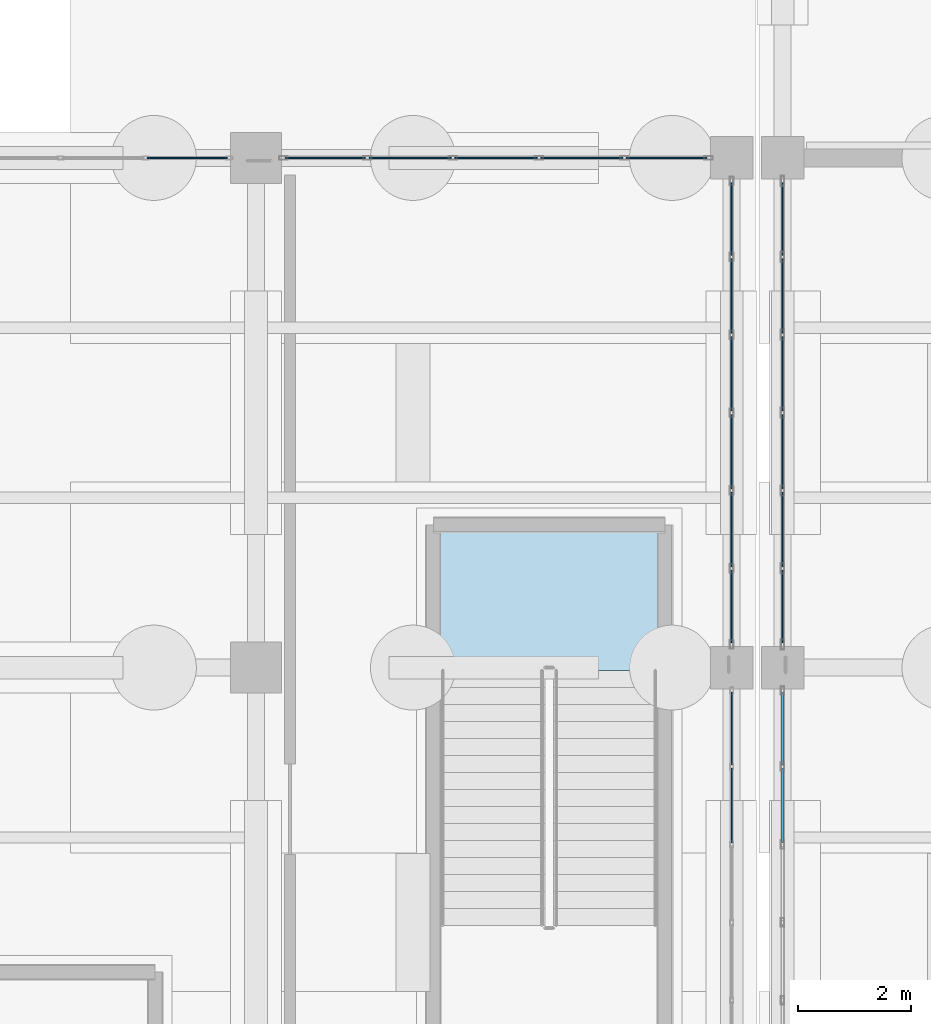
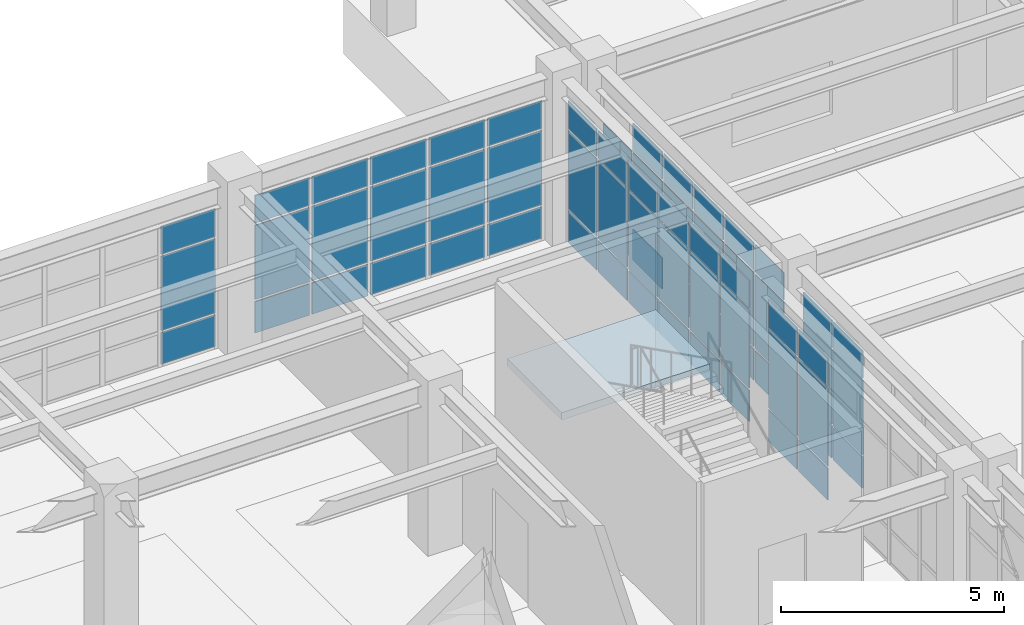
# One storey, part 104 of 139: 65 plates, 1 slab, 7 elements without a shape of their own.
"""IFC4 building model written with IfcOpenShell, lengths in metres."""

from ifc_helpers import new_model, si_unit, direction, frame, origin, origin_2d, place, context, subcontext, project, spatial, polyline, rectangle, outline, extrude, material, layer, layer_set, type_object, element, aggregate, save


model = new_model("IFC4")

# Units and contexts
model_context = context("Model", 3, precision=1e-05, world=origin(), true_north=direction((0.0, 1.0)))
body_context = subcontext(model_context, "Body", "Model", "MODEL_VIEW")
ifc_project = project(units=[si_unit("LENGTHUNIT", "METRE"), si_unit("AREAUNIT", "SQUARE_METRE"), si_unit("VOLUMEUNIT", "CUBIC_METRE"), si_unit("PLANEANGLEUNIT", "RADIAN"), si_unit("MASSUNIT", "GRAM", prefix="KILO")], contexts=[model_context])

# Site, building, storey
site_placement = place(None, origin())
site = spatial("IfcSite", under=ifc_project, at=site_placement, CompositionType="ELEMENT")
building_placement = place(site_placement, origin())
building = spatial("IfcBuilding", under=site, at=building_placement, Name="Canglan Escarpment Cableway Terminal", CompositionType="ELEMENT")
storey_placement = place(building_placement, frame((0.0, 0.0, 14.39990234375)))
storey = spatial("IfcBuildingStorey", under=building, at=storey_placement, Name="L03", CompositionType="ELEMENT", Elevation=14.39990234375)

# Curtain wall, plates
ifc_material_1 = material(Name="Anodized bronze aluminium and Low-E double glazing", Category="aluminium")
curtain_wall_type_1 = type_object("IfcCurtainWallType", Name="CW-BAY-8250x4000", PredefinedType="NOTDEFINED", material=ifc_material_1)
curtain_wall_1_placement = place(storey_placement, origin())
curtain_wall_1 = element("IfcCurtainWall", 1, at=curtain_wall_1_placement, inside=storey, type_object=curtain_wall_type_1, Name="Classical bay-between-piers glazed curtain wall CW-48", PredefinedType="NOTDEFINED")
ifc_material_2 = material(Name="Double-silver Low-E laminated insulating glass", Category="glass")
ifc_layer_1 = layer(ifc_material_2, 0.02392578125, Name="Double-silver Low-E laminated insulating glass")
ifc_layer_set_1 = layer_set([ifc_layer_1], Name="Double-silver Low-E laminated insulating glass")
plate_type_1 = type_object("IfcPlateType", Name="CWP-01", PredefinedType="CURTAIN_PANEL", material=ifc_layer_set_1)
plate_1_placement = place(storey_placement, frame((136.699951171875, 103.5625, 0.05517578125), z_axis=(0.0, 0.0, 1.0), x_axis=(0.0, 1.0, 0.0)))
plate_1 = element("IfcPlate", 2, at=plate_1_placement, type_object=plate_type_1, Name="CW-48 panel 5.1", PredefinedType="CURTAIN_PANEL", context=body_context, shape_type="SweptSolid", body=[
    extrude(rectangle(XDim=1.31494140625, YDim=0.02392578125, at=origin_2d()), origin(), (0.0, 0.0, 1.0), 0.867431640625),
])
plate_2_placement = place(storey_placement, frame((136.699951171875, 103.5625, 0.9775390625), z_axis=(0.0, 0.0, 1.0), x_axis=(0.0, 1.0, 0.0)))
plate_2 = element("IfcPlate", 3, at=plate_2_placement, type_object=plate_type_1, Name="CW-48 panel 5.2", PredefinedType="CURTAIN_PANEL", context=body_context, shape_type="SweptSolid", body=[
    extrude(rectangle(XDim=1.31494140625, YDim=0.02392578125, at=origin_2d()), origin(), (0.0, 0.0, 1.0), 2.14208984375),
])
plate_3_placement = place(storey_placement, frame((136.699951171875, 103.5625, 3.174560546875), z_axis=(0.0, 0.0, 1.0), x_axis=(0.0, 1.0, 0.0)))
plate_3 = element("IfcPlate", 4, at=plate_3_placement, type_object=plate_type_1, Name="CW-48 panel 5.3", PredefinedType="CURTAIN_PANEL", context=body_context, shape_type="SweptSolid", body=[
    extrude(rectangle(XDim=1.31494140625, YDim=0.02392578125, at=origin_2d()), origin(), (0.0, 0.0, 1.0), 0.767578125),
])
plate_4_placement = place(storey_placement, frame((136.699951171875, 104.922607421875, 0.05517578125), z_axis=(0.0, 0.0, 1.0), x_axis=(0.0, 1.0, 0.0)))
plate_4 = element("IfcPlate", 5, at=plate_4_placement, type_object=plate_type_1, Name="CW-48 panel 6.1", PredefinedType="CURTAIN_PANEL", context=body_context, shape_type="SweptSolid", body=[
    extrude(rectangle(XDim=1.284912109375, YDim=0.02392578125, at=origin_2d()), origin(), (0.0, 0.0, 1.0), 0.867431640625),
])
plate_5_placement = place(storey_placement, frame((136.699951171875, 104.922607421875, 0.9775390625), z_axis=(0.0, 0.0, 1.0), x_axis=(0.0, 1.0, 0.0)))
plate_5 = element("IfcPlate", 6, at=plate_5_placement, type_object=plate_type_1, Name="CW-48 panel 6.2", PredefinedType="CURTAIN_PANEL", context=body_context, shape_type="SweptSolid", body=[
    extrude(rectangle(XDim=1.284912109375, YDim=0.02392578125, at=origin_2d()), origin(), (0.0, 0.0, 1.0), 2.14208984375),
])
plate_6_placement = place(storey_placement, frame((136.699951171875, 104.922607421875, 3.174560546875), z_axis=(0.0, 0.0, 1.0), x_axis=(0.0, 1.0, 0.0)))
plate_6 = element("IfcPlate", 7, at=plate_6_placement, type_object=plate_type_1, Name="CW-48 panel 6.3", PredefinedType="CURTAIN_PANEL", context=body_context, shape_type="SweptSolid", body=[
    extrude(rectangle(XDim=1.284912109375, YDim=0.02392578125, at=origin_2d()), origin(), (0.0, 0.0, 1.0), 0.767578125),
])
aggregate(curtain_wall_1, [plate_1, plate_2, plate_3, plate_4, plate_5, plate_6])

curtain_wall_type_2 = type_object("IfcCurtainWallType", Name="CW-BAY-7500x3900", PredefinedType="NOTDEFINED", material=ifc_material_1)
curtain_wall_2_placement = place(storey_placement, origin())
curtain_wall_2 = element("IfcCurtainWall", 8, at=curtain_wall_2_placement, inside=storey, type_object=curtain_wall_type_2, Name="Classical bay-between-piers glazed curtain wall CW-50", PredefinedType="NOTDEFINED")
plate_7_placement = place(storey_placement, frame((127.0849609375, 115.0, 0.05517578125), z_axis=(0.0, 0.0, 1.0), x_axis=(-1.0, 0.0, 0.0)))
plate_7 = element("IfcPlate", 9, at=plate_7_placement, type_object=plate_type_1, Name="CW-50 panel 1.1", PredefinedType="CURTAIN_PANEL", context=body_context, shape_type="SweptSolid", body=[
    extrude(rectangle(XDim=1.409912109375, YDim=0.02392578125, at=origin_2d()), origin(), (0.0, 0.0, 1.0), 0.867431640625),
])
plate_8_placement = place(storey_placement, frame((127.0849609375, 115.0, 0.9775390625), z_axis=(0.0, 0.0, 1.0), x_axis=(-1.0, 0.0, 0.0)))
plate_8 = element("IfcPlate", 10, at=plate_8_placement, type_object=plate_type_1, Name="CW-50 panel 1.2", PredefinedType="CURTAIN_PANEL", context=body_context, shape_type="SweptSolid", body=[
    extrude(rectangle(XDim=1.409912109375, YDim=0.02392578125, at=origin_2d()), origin(), (0.0, 0.0, 1.0), 2.035888671875),
])
plate_9_placement = place(storey_placement, frame((127.0849609375, 115.0, 3.068603515625), z_axis=(0.0, 0.0, 1.0), x_axis=(-1.0, 0.0, 0.0)))
plate_9 = element("IfcPlate", 11, at=plate_9_placement, type_object=plate_type_1, Name="CW-50 panel 1.3", PredefinedType="CURTAIN_PANEL", context=body_context, shape_type="SweptSolid", body=[
    extrude(rectangle(XDim=1.409912109375, YDim=0.02392578125, at=origin_2d()), origin(), (0.0, 0.0, 1.0), 0.767578125),
])
aggregate(curtain_wall_2, [plate_7, plate_8, plate_9])

curtain_wall_type_3 = type_object("IfcCurtainWallType", Name="CW-BAY-8250x3900", PredefinedType="NOTDEFINED", material=ifc_material_1)
curtain_wall_3_placement = place(storey_placement, origin())
curtain_wall_3 = element("IfcCurtainWall", 12, at=curtain_wall_3_placement, inside=storey, type_object=curtain_wall_type_3, Name="Classical bay-between-piers glazed curtain wall CW-62", PredefinedType="NOTDEFINED")
plate_10_placement = place(storey_placement, frame((137.60009765625, 113.921142578125, 0.065185546875), z_axis=(0.0, 0.0, 1.0), x_axis=(0.0, -1.0, 0.0)))
plate_10 = element("IfcPlate", 13, at=plate_10_placement, type_object=plate_type_1, Name="CW-62 panel 1.1", PredefinedType="CURTAIN_PANEL", context=body_context, shape_type="SweptSolid", body=[
    extrude(rectangle(XDim=1.277587890625, YDim=0.02392578125, at=origin_2d()), origin(), (0.0, 0.0, 1.0), 0.8525390625),
])
plate_11_placement = place(storey_placement, frame((137.60009765625, 113.921142578125, 0.982666015625), z_axis=(0.0, 0.0, 1.0), x_axis=(0.0, -1.0, 0.0)))
plate_11 = element("IfcPlate", 14, at=plate_11_placement, type_object=plate_type_1, Name="CW-62 panel 1.2", PredefinedType="CURTAIN_PANEL", context=body_context, shape_type="SweptSolid", body=[
    extrude(rectangle(XDim=1.277587890625, YDim=0.02392578125, at=origin_2d()), origin(), (0.0, 0.0, 1.0), 2.02587890625),
])
plate_12_placement = place(storey_placement, frame((137.60009765625, 112.5625, 0.065185546875), z_axis=(0.0, 0.0, 1.0), x_axis=(0.0, -1.0, 0.0)))
plate_12 = element("IfcPlate", 15, at=plate_12_placement, type_object=plate_type_1, Name="CW-62 panel 2.1", PredefinedType="CURTAIN_PANEL", context=body_context, shape_type="SweptSolid", body=[
    extrude(rectangle(XDim=1.31005859375, YDim=0.02392578125, at=origin_2d()), origin(), (0.0, 0.0, 1.0), 0.8525390625),
])
plate_13_placement = place(storey_placement, frame((137.60009765625, 112.5625, 0.982666015625), z_axis=(0.0, 0.0, 1.0), x_axis=(0.0, -1.0, 0.0)))
plate_13 = element("IfcPlate", 16, at=plate_13_placement, type_object=plate_type_1, Name="CW-62 panel 2.2", PredefinedType="CURTAIN_PANEL", context=body_context, shape_type="SweptSolid", body=[
    extrude(rectangle(XDim=1.31005859375, YDim=0.02392578125, at=origin_2d()), origin(), (0.0, 0.0, 1.0), 2.02587890625),
])
plate_14_placement = place(storey_placement, frame((137.60009765625, 112.5625, 3.07373046875), z_axis=(0.0, 0.0, 1.0), x_axis=(0.0, -1.0, 0.0)))
plate_14 = element("IfcPlate", 17, at=plate_14_placement, type_object=plate_type_1, Name="CW-62 panel 2.3", PredefinedType="CURTAIN_PANEL", context=body_context, shape_type="SweptSolid", body=[
    extrude(rectangle(XDim=1.31005859375, YDim=0.02392578125, at=origin_2d()), origin(), (0.0, 0.0, 1.0), 0.75244140625),
])
plate_15_placement = place(storey_placement, frame((137.60009765625, 111.1875, 0.065185546875), z_axis=(0.0, 0.0, 1.0), x_axis=(0.0, -1.0, 0.0)))
plate_15 = element("IfcPlate", 18, at=plate_15_placement, type_object=plate_type_1, Name="CW-62 panel 3.1", PredefinedType="CURTAIN_PANEL", context=body_context, shape_type="SweptSolid", body=[
    extrude(rectangle(XDim=1.31005859375, YDim=0.02392578125, at=origin_2d()), origin(), (0.0, 0.0, 1.0), 0.8525390625),
])
plate_16_placement = place(storey_placement, frame((137.60009765625, 111.1875, 0.982666015625), z_axis=(0.0, 0.0, 1.0), x_axis=(0.0, -1.0, 0.0)))
plate_16 = element("IfcPlate", 19, at=plate_16_placement, type_object=plate_type_1, Name="CW-62 panel 3.2", PredefinedType="CURTAIN_PANEL", context=body_context, shape_type="SweptSolid", body=[
    extrude(rectangle(XDim=1.31005859375, YDim=0.02392578125, at=origin_2d()), origin(), (0.0, 0.0, 1.0), 2.02587890625),
])
plate_17_placement = place(storey_placement, frame((137.60009765625, 111.1875, 3.07373046875), z_axis=(0.0, 0.0, 1.0), x_axis=(0.0, -1.0, 0.0)))
plate_17 = element("IfcPlate", 20, at=plate_17_placement, type_object=plate_type_1, Name="CW-62 panel 3.3", PredefinedType="CURTAIN_PANEL", context=body_context, shape_type="SweptSolid", body=[
    extrude(rectangle(XDim=1.31005859375, YDim=0.02392578125, at=origin_2d()), origin(), (0.0, 0.0, 1.0), 0.75244140625),
])
plate_18_placement = place(storey_placement, frame((137.60009765625, 109.8125, 0.065185546875), z_axis=(0.0, 0.0, 1.0), x_axis=(0.0, -1.0, 0.0)))
plate_18 = element("IfcPlate", 21, at=plate_18_placement, type_object=plate_type_1, Name="CW-62 panel 4.1", PredefinedType="CURTAIN_PANEL", context=body_context, shape_type="SweptSolid", body=[
    extrude(rectangle(XDim=1.31005859375, YDim=0.02392578125, at=origin_2d()), origin(), (0.0, 0.0, 1.0), 0.8525390625),
])
plate_19_placement = place(storey_placement, frame((137.60009765625, 109.8125, 0.982666015625), z_axis=(0.0, 0.0, 1.0), x_axis=(0.0, -1.0, 0.0)))
plate_19 = element("IfcPlate", 22, at=plate_19_placement, type_object=plate_type_1, Name="CW-62 panel 4.2", PredefinedType="CURTAIN_PANEL", context=body_context, shape_type="SweptSolid", body=[
    extrude(rectangle(XDim=1.31005859375, YDim=0.02392578125, at=origin_2d()), origin(), (0.0, 0.0, 1.0), 2.02587890625),
])
plate_20_placement = place(storey_placement, frame((137.60009765625, 109.8125, 3.07373046875), z_axis=(0.0, 0.0, 1.0), x_axis=(0.0, -1.0, 0.0)))
plate_20 = element("IfcPlate", 23, at=plate_20_placement, type_object=plate_type_1, Name="CW-62 panel 4.3", PredefinedType="CURTAIN_PANEL", context=body_context, shape_type="SweptSolid", body=[
    extrude(rectangle(XDim=1.31005859375, YDim=0.02392578125, at=origin_2d()), origin(), (0.0, 0.0, 1.0), 0.75244140625),
])
plate_21_placement = place(storey_placement, frame((137.60009765625, 108.4375, 0.065185546875), z_axis=(0.0, 0.0, 1.0), x_axis=(0.0, -1.0, 0.0)))
plate_21 = element("IfcPlate", 24, at=plate_21_placement, type_object=plate_type_1, Name="CW-62 panel 5.1", PredefinedType="CURTAIN_PANEL", context=body_context, shape_type="SweptSolid", body=[
    extrude(rectangle(XDim=1.31005859375, YDim=0.02392578125, at=origin_2d()), origin(), (0.0, 0.0, 1.0), 0.8525390625),
])
plate_22_placement = place(storey_placement, frame((137.60009765625, 108.4375, 0.982666015625), z_axis=(0.0, 0.0, 1.0), x_axis=(0.0, -1.0, 0.0)))
plate_22 = element("IfcPlate", 25, at=plate_22_placement, type_object=plate_type_1, Name="CW-62 panel 5.2", PredefinedType="CURTAIN_PANEL", context=body_context, shape_type="SweptSolid", body=[
    extrude(rectangle(XDim=1.31005859375, YDim=0.02392578125, at=origin_2d()), origin(), (0.0, 0.0, 1.0), 2.02587890625),
])
plate_23_placement = place(storey_placement, frame((137.60009765625, 108.4375, 3.07373046875), z_axis=(0.0, 0.0, 1.0), x_axis=(0.0, -1.0, 0.0)))
plate_23 = element("IfcPlate", 26, at=plate_23_placement, type_object=plate_type_1, Name="CW-62 panel 5.3", PredefinedType="CURTAIN_PANEL", context=body_context, shape_type="SweptSolid", body=[
    extrude(rectangle(XDim=1.31005859375, YDim=0.02392578125, at=origin_2d()), origin(), (0.0, 0.0, 1.0), 0.75244140625),
])
plate_24_placement = place(storey_placement, frame((137.60009765625, 107.078857421875, 0.065185546875), z_axis=(0.0, 0.0, 1.0), x_axis=(0.0, -1.0, 0.0)))
plate_24 = element("IfcPlate", 27, at=plate_24_placement, type_object=plate_type_1, Name="CW-62 panel 6.1", PredefinedType="CURTAIN_PANEL", context=body_context, shape_type="SweptSolid", body=[
    extrude(rectangle(XDim=1.277587890625, YDim=0.02392578125, at=origin_2d()), origin(), (0.0, 0.0, 1.0), 0.8525390625),
])
plate_25_placement = place(storey_placement, frame((137.60009765625, 107.078857421875, 0.982666015625), z_axis=(0.0, 0.0, 1.0), x_axis=(0.0, -1.0, 0.0)))
plate_25 = element("IfcPlate", 28, at=plate_25_placement, type_object=plate_type_1, Name="CW-62 panel 6.2", PredefinedType="CURTAIN_PANEL", context=body_context, shape_type="SweptSolid", body=[
    extrude(rectangle(XDim=1.277587890625, YDim=0.02392578125, at=origin_2d()), origin(), (0.0, 0.0, 1.0), 2.02587890625),
])
plate_26_placement = place(storey_placement, frame((137.60009765625, 107.078857421875, 3.07373046875), z_axis=(0.0, 0.0, 1.0), x_axis=(0.0, -1.0, 0.0)))
plate_26 = element("IfcPlate", 29, at=plate_26_placement, type_object=plate_type_1, Name="CW-62 panel 6.3", PredefinedType="CURTAIN_PANEL", context=body_context, shape_type="SweptSolid", body=[
    extrude(rectangle(XDim=1.277587890625, YDim=0.02392578125, at=origin_2d()), origin(), (0.0, 0.0, 1.0), 0.75244140625),
])
aggregate(curtain_wall_3, [plate_10, plate_11, plate_12, plate_13, plate_14, plate_15, plate_16, plate_17, plate_18, plate_19, plate_20, plate_21, plate_22, plate_23, plate_24, plate_25, plate_26])

curtain_wall_4_placement = place(storey_placement, origin())
curtain_wall_4 = element("IfcCurtainWall", 30, at=curtain_wall_4_placement, inside=storey, type_object=curtain_wall_type_1, Name="Classical bay-between-piers glazed curtain wall CW-48", PredefinedType="NOTDEFINED")
ifc_layer_2 = layer(ifc_material_2, 0.028076171875, Name="Double-silver Low-E laminated insulating glass")
ifc_layer_set_2 = layer_set([ifc_layer_2], Name="Double-silver Low-E laminated insulating glass")
plate_type_2 = type_object("IfcPlateType", Name="CWP-02", PredefinedType="CURTAIN_PANEL", material=ifc_layer_set_2)
plate_27_placement = place(storey_placement, frame((136.699951171875, 107.078857421875, 0.06005859375), z_axis=(0.0, 0.0, 1.0), x_axis=(0.0, 1.0, 0.0)))
plate_27 = element("IfcPlate", 31, at=plate_27_placement, type_object=plate_type_2, Name="CW-48 panel 1.1", PredefinedType="CURTAIN_PANEL", context=body_context, shape_type="SweptSolid", body=[
    extrude(rectangle(XDim=1.277587890625, YDim=0.028076171875, at=origin_2d()), origin(), (0.0, 0.0, 1.0), 0.860107421875),
])
plate_28_placement = place(storey_placement, frame((136.699951171875, 107.078857421875, 0.97998046875), z_axis=(0.0, 0.0, 1.0), x_axis=(0.0, 1.0, 0.0)))
plate_28 = element("IfcPlate", 32, at=plate_28_placement, type_object=plate_type_2, Name="CW-48 panel 1.2", PredefinedType="CURTAIN_PANEL", context=body_context, shape_type="SweptSolid", body=[
    extrude(rectangle(XDim=1.277587890625, YDim=0.028076171875, at=origin_2d()), origin(), (0.0, 0.0, 1.0), 2.136962890625),
])
plate_29_placement = place(storey_placement, frame((136.699951171875, 107.078857421875, 3.17724609375), z_axis=(0.0, 0.0, 1.0), x_axis=(0.0, 1.0, 0.0)))
plate_29 = element("IfcPlate", 33, at=plate_29_placement, type_object=plate_type_2, Name="CW-48 panel 1.3", PredefinedType="CURTAIN_PANEL", context=body_context, shape_type="SweptSolid", body=[
    extrude(rectangle(XDim=1.277587890625, YDim=0.028076171875, at=origin_2d()), origin(), (0.0, 0.0, 1.0), 0.760009765625),
])
plate_30_placement = place(storey_placement, frame((136.699951171875, 108.4375, 0.06005859375), z_axis=(0.0, 0.0, 1.0), x_axis=(0.0, 1.0, 0.0)))
plate_30 = element("IfcPlate", 34, at=plate_30_placement, type_object=plate_type_2, Name="CW-48 panel 2.1", PredefinedType="CURTAIN_PANEL", context=body_context, shape_type="SweptSolid", body=[
    extrude(rectangle(XDim=1.31005859375, YDim=0.028076171875, at=origin_2d()), origin(), (0.0, 0.0, 1.0), 0.860107421875),
])
plate_31_placement = place(storey_placement, frame((136.699951171875, 108.4375, 0.97998046875), z_axis=(0.0, 0.0, 1.0), x_axis=(0.0, 1.0, 0.0)))
plate_31 = element("IfcPlate", 35, at=plate_31_placement, type_object=plate_type_2, Name="CW-48 panel 2.2", PredefinedType="CURTAIN_PANEL", context=body_context, shape_type="SweptSolid", body=[
    extrude(rectangle(XDim=1.31005859375, YDim=0.028076171875, at=origin_2d()), origin(), (0.0, 0.0, 1.0), 2.136962890625),
])
plate_32_placement = place(storey_placement, frame((136.699951171875, 108.4375, 3.17724609375), z_axis=(0.0, 0.0, 1.0), x_axis=(0.0, 1.0, 0.0)))
plate_32 = element("IfcPlate", 36, at=plate_32_placement, type_object=plate_type_2, Name="CW-48 panel 2.3", PredefinedType="CURTAIN_PANEL", context=body_context, shape_type="SweptSolid", body=[
    extrude(rectangle(XDim=1.31005859375, YDim=0.028076171875, at=origin_2d()), origin(), (0.0, 0.0, 1.0), 0.760009765625),
])
plate_33_placement = place(storey_placement, frame((136.699951171875, 109.8125, 0.06005859375), z_axis=(0.0, 0.0, 1.0), x_axis=(0.0, 1.0, 0.0)))
plate_33 = element("IfcPlate", 37, at=plate_33_placement, type_object=plate_type_2, Name="CW-48 panel 3.1", PredefinedType="CURTAIN_PANEL", context=body_context, shape_type="SweptSolid", body=[
    extrude(rectangle(XDim=1.31005859375, YDim=0.028076171875, at=origin_2d()), origin(), (0.0, 0.0, 1.0), 0.860107421875),
])
plate_34_placement = place(storey_placement, frame((136.699951171875, 109.8125, 0.97998046875), z_axis=(0.0, 0.0, 1.0), x_axis=(0.0, 1.0, 0.0)))
plate_34 = element("IfcPlate", 38, at=plate_34_placement, type_object=plate_type_2, Name="CW-48 panel 3.2", PredefinedType="CURTAIN_PANEL", context=body_context, shape_type="SweptSolid", body=[
    extrude(rectangle(XDim=1.31005859375, YDim=0.028076171875, at=origin_2d()), origin(), (0.0, 0.0, 1.0), 2.136962890625),
])
plate_35_placement = place(storey_placement, frame((136.699951171875, 109.8125, 3.17724609375), z_axis=(0.0, 0.0, 1.0), x_axis=(0.0, 1.0, 0.0)))
plate_35 = element("IfcPlate", 39, at=plate_35_placement, type_object=plate_type_2, Name="CW-48 panel 3.3", PredefinedType="CURTAIN_PANEL", context=body_context, shape_type="SweptSolid", body=[
    extrude(rectangle(XDim=1.31005859375, YDim=0.028076171875, at=origin_2d()), origin(), (0.0, 0.0, 1.0), 0.760009765625),
])
plate_36_placement = place(storey_placement, frame((136.699951171875, 111.1875, 0.06005859375), z_axis=(0.0, 0.0, 1.0), x_axis=(0.0, 1.0, 0.0)))
plate_36 = element("IfcPlate", 40, at=plate_36_placement, type_object=plate_type_2, Name="CW-48 panel 4.1", PredefinedType="CURTAIN_PANEL", context=body_context, shape_type="SweptSolid", body=[
    extrude(rectangle(XDim=1.31005859375, YDim=0.028076171875, at=origin_2d()), origin(), (0.0, 0.0, 1.0), 0.860107421875),
])
plate_37_placement = place(storey_placement, frame((136.699951171875, 111.1875, 0.97998046875), z_axis=(0.0, 0.0, 1.0), x_axis=(0.0, 1.0, 0.0)))
plate_37 = element("IfcPlate", 41, at=plate_37_placement, type_object=plate_type_2, Name="CW-48 panel 4.2", PredefinedType="CURTAIN_PANEL", context=body_context, shape_type="SweptSolid", body=[
    extrude(rectangle(XDim=1.31005859375, YDim=0.028076171875, at=origin_2d()), origin(), (0.0, 0.0, 1.0), 2.136962890625),
])
plate_38_placement = place(storey_placement, frame((136.699951171875, 111.1875, 3.17724609375), z_axis=(0.0, 0.0, 1.0), x_axis=(0.0, 1.0, 0.0)))
plate_38 = element("IfcPlate", 42, at=plate_38_placement, type_object=plate_type_2, Name="CW-48 panel 4.3", PredefinedType="CURTAIN_PANEL", context=body_context, shape_type="SweptSolid", body=[
    extrude(rectangle(XDim=1.31005859375, YDim=0.028076171875, at=origin_2d()), origin(), (0.0, 0.0, 1.0), 0.760009765625),
])
plate_39_placement = place(storey_placement, frame((136.699951171875, 112.5625, 0.06005859375), z_axis=(0.0, 0.0, 1.0), x_axis=(0.0, 1.0, 0.0)))
plate_39 = element("IfcPlate", 43, at=plate_39_placement, type_object=plate_type_2, Name="CW-48 panel 5.1", PredefinedType="CURTAIN_PANEL", context=body_context, shape_type="SweptSolid", body=[
    extrude(rectangle(XDim=1.31005859375, YDim=0.028076171875, at=origin_2d()), origin(), (0.0, 0.0, 1.0), 0.860107421875),
])
plate_40_placement = place(storey_placement, frame((136.699951171875, 112.5625, 0.97998046875), z_axis=(0.0, 0.0, 1.0), x_axis=(0.0, 1.0, 0.0)))
plate_40 = element("IfcPlate", 44, at=plate_40_placement, type_object=plate_type_2, Name="CW-48 panel 5.2", PredefinedType="CURTAIN_PANEL", context=body_context, shape_type="SweptSolid", body=[
    extrude(rectangle(XDim=1.31005859375, YDim=0.028076171875, at=origin_2d()), origin(), (0.0, 0.0, 1.0), 2.136962890625),
])
plate_41_placement = place(storey_placement, frame((136.699951171875, 112.5625, 3.17724609375), z_axis=(0.0, 0.0, 1.0), x_axis=(0.0, 1.0, 0.0)))
plate_41 = element("IfcPlate", 45, at=plate_41_placement, type_object=plate_type_2, Name="CW-48 panel 5.3", PredefinedType="CURTAIN_PANEL", context=body_context, shape_type="SweptSolid", body=[
    extrude(rectangle(XDim=1.31005859375, YDim=0.028076171875, at=origin_2d()), origin(), (0.0, 0.0, 1.0), 0.760009765625),
])
plate_42_placement = place(storey_placement, frame((136.699951171875, 113.921142578125, 0.06005859375), z_axis=(0.0, 0.0, 1.0), x_axis=(0.0, 1.0, 0.0)))
plate_42 = element("IfcPlate", 46, at=plate_42_placement, type_object=plate_type_2, Name="CW-48 panel 6.1", PredefinedType="CURTAIN_PANEL", context=body_context, shape_type="SweptSolid", body=[
    extrude(rectangle(XDim=1.277587890625, YDim=0.028076171875, at=origin_2d()), origin(), (0.0, 0.0, 1.0), 0.860107421875),
])
plate_43_placement = place(storey_placement, frame((136.699951171875, 113.921142578125, 0.97998046875), z_axis=(0.0, 0.0, 1.0), x_axis=(0.0, 1.0, 0.0)))
plate_43 = element("IfcPlate", 47, at=plate_43_placement, type_object=plate_type_2, Name="CW-48 panel 6.2", PredefinedType="CURTAIN_PANEL", context=body_context, shape_type="SweptSolid", body=[
    extrude(rectangle(XDim=1.277587890625, YDim=0.028076171875, at=origin_2d()), origin(), (0.0, 0.0, 1.0), 2.136962890625),
])
plate_44_placement = place(storey_placement, frame((136.699951171875, 113.921142578125, 3.17724609375), z_axis=(0.0, 0.0, 1.0), x_axis=(0.0, 1.0, 0.0)))
plate_44 = element("IfcPlate", 48, at=plate_44_placement, type_object=plate_type_2, Name="CW-48 panel 6.3", PredefinedType="CURTAIN_PANEL", context=body_context, shape_type="SweptSolid", body=[
    extrude(rectangle(XDim=1.277587890625, YDim=0.028076171875, at=origin_2d()), origin(), (0.0, 0.0, 1.0), 0.760009765625),
])
aggregate(curtain_wall_4, [plate_27, plate_28, plate_29, plate_30, plate_31, plate_32, plate_33, plate_34, plate_35, plate_36, plate_37, plate_38, plate_39, plate_40, plate_41, plate_42, plate_43, plate_44])

curtain_wall_type_4 = type_object("IfcCurtainWallType", Name="CW-BAY-7575x3900", PredefinedType="NOTDEFINED", material=ifc_material_1)
curtain_wall_5_placement = place(storey_placement, origin())
curtain_wall_5 = element("IfcCurtainWall", 49, at=curtain_wall_5_placement, inside=storey, type_object=curtain_wall_type_4, Name="Classical bay-between-piers glazed curtain wall CW-49", PredefinedType="NOTDEFINED")
plate_45_placement = place(storey_placement, frame((135.55126953125, 115.0, 0.06005859375), z_axis=(0.0, 0.0, 1.0), x_axis=(-1.0, 0.0, 0.0)))
plate_45 = element("IfcPlate", 50, at=plate_45_placement, type_object=plate_type_2, Name="CW-49 panel 1.1", PredefinedType="CURTAIN_PANEL", context=body_context, shape_type="SweptSolid", body=[
    extrude(rectangle(XDim=1.41748046875, YDim=0.028076171875, at=origin_2d()), origin(), (0.0, 0.0, 1.0), 0.860107421875),
])
plate_46_placement = place(storey_placement, frame((135.55126953125, 115.0, 0.97998046875), z_axis=(0.0, 0.0, 1.0), x_axis=(-1.0, 0.0, 0.0)))
plate_46 = element("IfcPlate", 51, at=plate_46_placement, type_object=plate_type_2, Name="CW-49 panel 1.2", PredefinedType="CURTAIN_PANEL", context=body_context, shape_type="SweptSolid", body=[
    extrude(rectangle(XDim=1.41748046875, YDim=0.028076171875, at=origin_2d()), origin(), (0.0, 0.0, 1.0), 2.031005859375),
])
plate_47_placement = place(storey_placement, frame((135.55126953125, 115.0, 3.0712890625), z_axis=(0.0, 0.0, 1.0), x_axis=(-1.0, 0.0, 0.0)))
plate_47 = element("IfcPlate", 52, at=plate_47_placement, type_object=plate_type_2, Name="CW-49 panel 1.3", PredefinedType="CURTAIN_PANEL", context=body_context, shape_type="SweptSolid", body=[
    extrude(rectangle(XDim=1.41748046875, YDim=0.028076171875, at=origin_2d()), origin(), (0.0, 0.0, 1.0), 0.760009765625),
])
plate_48_placement = place(storey_placement, frame((134.052490234375, 115.0, 0.06005859375), z_axis=(0.0, 0.0, 1.0), x_axis=(-1.0, 0.0, 0.0)))
plate_48 = element("IfcPlate", 53, at=plate_48_placement, type_object=plate_type_2, Name="CW-49 panel 2.1", PredefinedType="CURTAIN_PANEL", context=body_context, shape_type="SweptSolid", body=[
    extrude(rectangle(XDim=1.449951171875, YDim=0.028076171875, at=origin_2d()), origin(), (0.0, 0.0, 1.0), 0.860107421875),
])
plate_49_placement = place(storey_placement, frame((134.052490234375, 115.0, 0.97998046875), z_axis=(0.0, 0.0, 1.0), x_axis=(-1.0, 0.0, 0.0)))
plate_49 = element("IfcPlate", 54, at=plate_49_placement, type_object=plate_type_2, Name="CW-49 panel 2.2", PredefinedType="CURTAIN_PANEL", context=body_context, shape_type="SweptSolid", body=[
    extrude(rectangle(XDim=1.449951171875, YDim=0.028076171875, at=origin_2d()), origin(), (0.0, 0.0, 1.0), 2.031005859375),
])
plate_50_placement = place(storey_placement, frame((134.052490234375, 115.0, 3.0712890625), z_axis=(0.0, 0.0, 1.0), x_axis=(-1.0, 0.0, 0.0)))
plate_50 = element("IfcPlate", 55, at=plate_50_placement, type_object=plate_type_2, Name="CW-49 panel 2.3", PredefinedType="CURTAIN_PANEL", context=body_context, shape_type="SweptSolid", body=[
    extrude(rectangle(XDim=1.449951171875, YDim=0.028076171875, at=origin_2d()), origin(), (0.0, 0.0, 1.0), 0.760009765625),
])
plate_51_placement = place(storey_placement, frame((132.53759765625, 115.0, 0.06005859375), z_axis=(0.0, 0.0, 1.0), x_axis=(-1.0, 0.0, 0.0)))
plate_51 = element("IfcPlate", 56, at=plate_51_placement, type_object=plate_type_2, Name="CW-49 panel 3.1", PredefinedType="CURTAIN_PANEL", context=body_context, shape_type="SweptSolid", body=[
    extrude(rectangle(XDim=1.449951171875, YDim=0.028076171875, at=origin_2d()), origin(), (0.0, 0.0, 1.0), 0.860107421875),
])
plate_52_placement = place(storey_placement, frame((132.53759765625, 115.0, 0.97998046875), z_axis=(0.0, 0.0, 1.0), x_axis=(-1.0, 0.0, 0.0)))
plate_52 = element("IfcPlate", 57, at=plate_52_placement, type_object=plate_type_2, Name="CW-49 panel 3.2", PredefinedType="CURTAIN_PANEL", context=body_context, shape_type="SweptSolid", body=[
    extrude(rectangle(XDim=1.449951171875, YDim=0.028076171875, at=origin_2d()), origin(), (0.0, 0.0, 1.0), 2.031005859375),
])
plate_53_placement = place(storey_placement, frame((132.53759765625, 115.0, 3.0712890625), z_axis=(0.0, 0.0, 1.0), x_axis=(-1.0, 0.0, 0.0)))
plate_53 = element("IfcPlate", 58, at=plate_53_placement, type_object=plate_type_2, Name="CW-49 panel 3.3", PredefinedType="CURTAIN_PANEL", context=body_context, shape_type="SweptSolid", body=[
    extrude(rectangle(XDim=1.449951171875, YDim=0.028076171875, at=origin_2d()), origin(), (0.0, 0.0, 1.0), 0.760009765625),
])
plate_54_placement = place(storey_placement, frame((131.0224609375, 115.0, 0.06005859375), z_axis=(0.0, 0.0, 1.0), x_axis=(-1.0, 0.0, 0.0)))
plate_54 = element("IfcPlate", 59, at=plate_54_placement, type_object=plate_type_2, Name="CW-49 panel 4.1", PredefinedType="CURTAIN_PANEL", context=body_context, shape_type="SweptSolid", body=[
    extrude(rectangle(XDim=1.449951171875, YDim=0.028076171875, at=origin_2d()), origin(), (0.0, 0.0, 1.0), 0.860107421875),
])
plate_55_placement = place(storey_placement, frame((131.0224609375, 115.0, 0.97998046875), z_axis=(0.0, 0.0, 1.0), x_axis=(-1.0, 0.0, 0.0)))
plate_55 = element("IfcPlate", 60, at=plate_55_placement, type_object=plate_type_2, Name="CW-49 panel 4.2", PredefinedType="CURTAIN_PANEL", context=body_context, shape_type="SweptSolid", body=[
    extrude(rectangle(XDim=1.449951171875, YDim=0.028076171875, at=origin_2d()), origin(), (0.0, 0.0, 1.0), 2.031005859375),
])
plate_56_placement = place(storey_placement, frame((131.0224609375, 115.0, 3.0712890625), z_axis=(0.0, 0.0, 1.0), x_axis=(-1.0, 0.0, 0.0)))
plate_56 = element("IfcPlate", 61, at=plate_56_placement, type_object=plate_type_2, Name="CW-49 panel 4.3", PredefinedType="CURTAIN_PANEL", context=body_context, shape_type="SweptSolid", body=[
    extrude(rectangle(XDim=1.449951171875, YDim=0.028076171875, at=origin_2d()), origin(), (0.0, 0.0, 1.0), 0.760009765625),
])
plate_57_placement = place(storey_placement, frame((129.523681640625, 115.0, 0.06005859375), z_axis=(0.0, 0.0, 1.0), x_axis=(-1.0, 0.0, 0.0)))
plate_57 = element("IfcPlate", 62, at=plate_57_placement, type_object=plate_type_2, Name="CW-49 panel 5.1", PredefinedType="CURTAIN_PANEL", context=body_context, shape_type="SweptSolid", body=[
    extrude(rectangle(XDim=1.41748046875, YDim=0.028076171875, at=origin_2d()), origin(), (0.0, 0.0, 1.0), 0.860107421875),
])
plate_58_placement = place(storey_placement, frame((129.523681640625, 115.0, 0.97998046875), z_axis=(0.0, 0.0, 1.0), x_axis=(-1.0, 0.0, 0.0)))
plate_58 = element("IfcPlate", 63, at=plate_58_placement, type_object=plate_type_2, Name="CW-49 panel 5.2", PredefinedType="CURTAIN_PANEL", context=body_context, shape_type="SweptSolid", body=[
    extrude(rectangle(XDim=1.41748046875, YDim=0.028076171875, at=origin_2d()), origin(), (0.0, 0.0, 1.0), 2.031005859375),
])
plate_59_placement = place(storey_placement, frame((129.523681640625, 115.0, 3.0712890625), z_axis=(0.0, 0.0, 1.0), x_axis=(-1.0, 0.0, 0.0)))
plate_59 = element("IfcPlate", 64, at=plate_59_placement, type_object=plate_type_2, Name="CW-49 panel 5.3", PredefinedType="CURTAIN_PANEL", context=body_context, shape_type="SweptSolid", body=[
    extrude(rectangle(XDim=1.41748046875, YDim=0.028076171875, at=origin_2d()), origin(), (0.0, 0.0, 1.0), 0.760009765625),
])
aggregate(curtain_wall_5, [plate_45, plate_46, plate_47, plate_48, plate_49, plate_50, plate_51, plate_52, plate_53, plate_54, plate_55, plate_56, plate_57, plate_58, plate_59])

curtain_wall_6_placement = place(storey_placement, origin())
curtain_wall_6 = element("IfcCurtainWall", 65, at=curtain_wall_6_placement, inside=storey, type_object=curtain_wall_type_3, Name="Classical bay-between-piers glazed curtain wall CW-62", PredefinedType="NOTDEFINED")
ifc_layer_3 = layer(ifc_material_2, 0.035888671875, Name="Double-silver Low-E laminated insulating glass")
ifc_layer_set_3 = layer_set([ifc_layer_3], Name="Double-silver Low-E laminated insulating glass")
plate_type_3 = type_object("IfcPlateType", Name="CWP-04", PredefinedType="CURTAIN_PANEL", material=ifc_layer_set_3)
plate_60_placement = place(storey_placement, frame((137.60009765625, 104.921142578125, 0.06005859375), z_axis=(0.0, 0.0, 1.0), x_axis=(0.0, -1.0, 0.0)))
plate_60 = element("IfcPlate", 66, at=plate_60_placement, type_object=plate_type_3, Name="CW-62 panel 1.1", PredefinedType="CURTAIN_PANEL", context=body_context, shape_type="SweptSolid", body=[
    extrude(rectangle(XDim=1.277587890625, YDim=0.035888671875, at=origin_2d()), origin(), (0.0, 0.0, 1.0), 0.860107421875),
])
plate_61_placement = place(storey_placement, frame((137.60009765625, 104.921142578125, 0.97998046875), z_axis=(0.0, 0.0, 1.0), x_axis=(0.0, -1.0, 0.0)))
plate_61 = element("IfcPlate", 67, at=plate_61_placement, type_object=plate_type_3, Name="CW-62 panel 1.2", PredefinedType="CURTAIN_PANEL", context=body_context, shape_type="SweptSolid", body=[
    extrude(rectangle(XDim=1.277587890625, YDim=0.035888671875, at=origin_2d()), origin(), (0.0, 0.0, 1.0), 2.031005859375),
])
plate_62_placement = place(storey_placement, frame((137.60009765625, 104.921142578125, 3.0712890625), z_axis=(0.0, 0.0, 1.0), x_axis=(0.0, -1.0, 0.0)))
plate_62 = element("IfcPlate", 68, at=plate_62_placement, type_object=plate_type_3, Name="CW-62 panel 1.3", PredefinedType="CURTAIN_PANEL", context=body_context, shape_type="SweptSolid", body=[
    extrude(rectangle(XDim=1.277587890625, YDim=0.035888671875, at=origin_2d()), origin(), (0.0, 0.0, 1.0), 0.760009765625),
])
plate_63_placement = place(storey_placement, frame((137.60009765625, 103.5625, 0.06005859375), z_axis=(0.0, 0.0, 1.0), x_axis=(0.0, -1.0, 0.0)))
plate_63 = element("IfcPlate", 69, at=plate_63_placement, type_object=plate_type_3, Name="CW-62 panel 2.1", PredefinedType="CURTAIN_PANEL", context=body_context, shape_type="SweptSolid", body=[
    extrude(rectangle(XDim=1.31005859375, YDim=0.035888671875, at=origin_2d()), origin(), (0.0, 0.0, 1.0), 0.860107421875),
])
plate_64_placement = place(storey_placement, frame((137.60009765625, 103.5625, 0.97998046875), z_axis=(0.0, 0.0, 1.0), x_axis=(0.0, -1.0, 0.0)))
plate_64 = element("IfcPlate", 70, at=plate_64_placement, type_object=plate_type_3, Name="CW-62 panel 2.2", PredefinedType="CURTAIN_PANEL", context=body_context, shape_type="SweptSolid", body=[
    extrude(rectangle(XDim=1.31005859375, YDim=0.035888671875, at=origin_2d()), origin(), (0.0, 0.0, 1.0), 2.031005859375),
])
plate_65_placement = place(storey_placement, frame((137.60009765625, 103.5625, 3.0712890625), z_axis=(0.0, 0.0, 1.0), x_axis=(0.0, -1.0, 0.0)))
plate_65 = element("IfcPlate", 71, at=plate_65_placement, type_object=plate_type_3, Name="CW-62 panel 2.3", PredefinedType="CURTAIN_PANEL", context=body_context, shape_type="SweptSolid", body=[
    extrude(rectangle(XDim=1.31005859375, YDim=0.035888671875, at=origin_2d()), origin(), (0.0, 0.0, 1.0), 0.760009765625),
])
aggregate(curtain_wall_6, [plate_60, plate_61, plate_62, plate_63, plate_64, plate_65])

# Stair, slab
ifc_material_3 = material(Name="Concrete C40", Category="concrete")
stair_type = type_object("IfcStairType", Name="STR-DOGLEG-1850", PredefinedType="HALF_TURN_STAIR", material=ifc_material_3)
stair_placement = place(storey_placement, origin())
stair = element("IfcStair", 72, at=stair_placement, inside=storey, type_object=stair_type, Name="L03 Protected Exit Stair ST-18", PredefinedType="HALF_TURN_STAIR")
ifc_layer_4 = layer(ifc_material_3, 0.199951171875, Name="Concrete C40")
ifc_layer_set_4 = layer_set([ifc_layer_4], Name="Concrete C40")
slab_type = type_object("IfcSlabType", Name="SLB-STAIR-LAND-200", PredefinedType="LANDING", material=ifc_layer_set_4)
slab_placement = place(storey_placement, frame((0.0, 0.0, 2.2001953125)))
slab = element("IfcSlab", 73, at=slab_placement, type_object=slab_type, Name="ST-18 landing 1", PredefinedType="LANDING", context=body_context, shape_type="SweptSolid", body=[
    extrude(outline(polyline([(135.39990234375, 105.949951171875), (135.39990234375, 108.39990234375), (131.550048828125, 108.39990234375), (131.550048828125, 105.949951171875), (135.39990234375, 105.949951171875)])), origin(), (0.0, 0.0, 1.0), 0.199951171875),
])
aggregate(stair, [slab])

save(model, "model.ifc")
